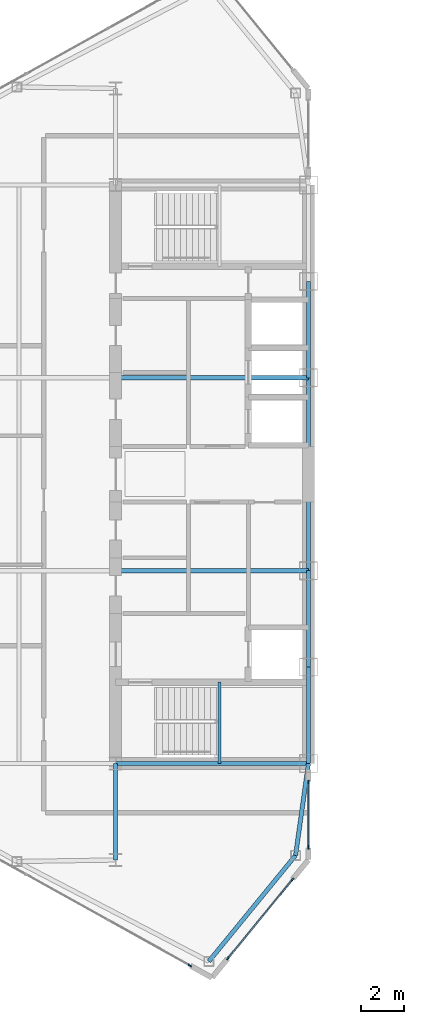
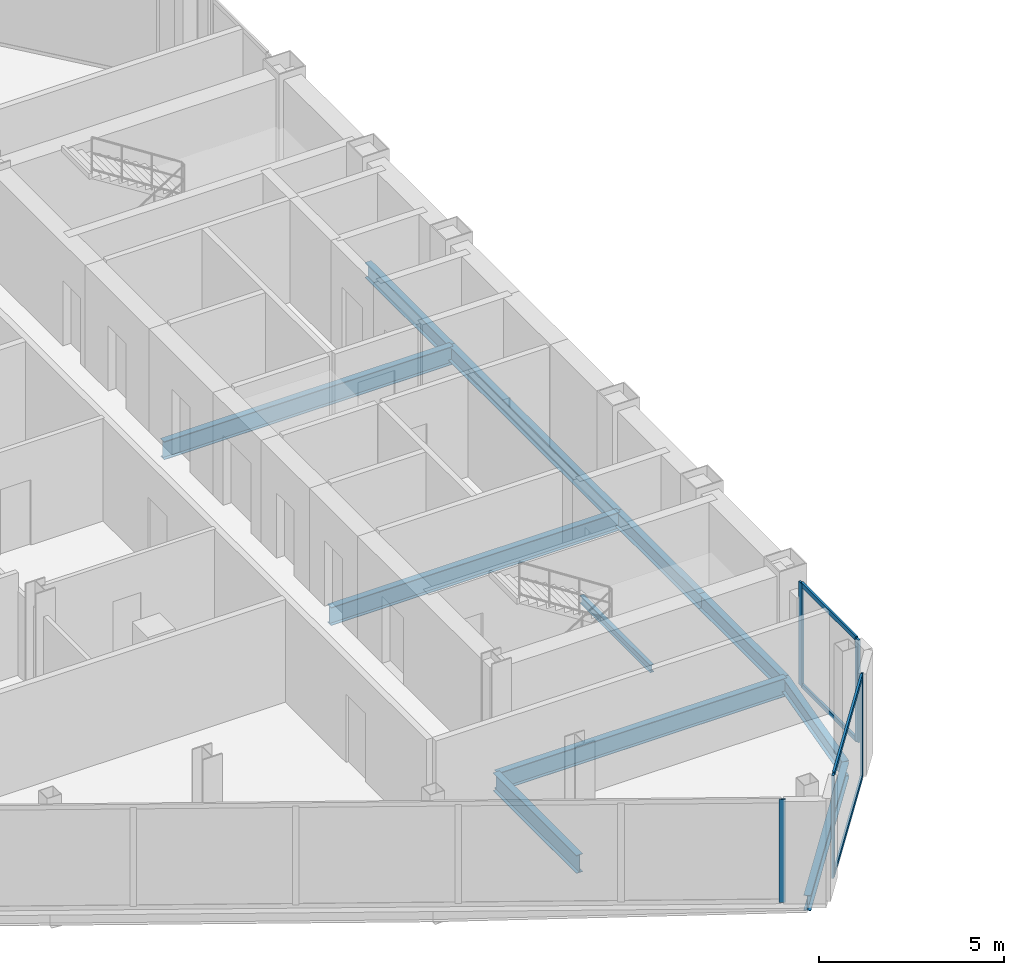
# One storey, part 7 of 26: 11 beams, 9 members, 3 elements without a shape of their own.
"""IFC4 building model written with IfcOpenShell, lengths in metres."""

from ifc_helpers import new_model, si_unit, direction, frame, origin, origin_2d, place, context, subcontext, project, spatial, rectangle, i_section, extrude, source, transform, mapped, material, layer, layer_set, material_profile, profile_set, type_object, type_shapes, element, aggregate, save


model = new_model("IFC4")

# Units and contexts
model_context = context("Model", 3, precision=1e-05, world=origin(), true_north=direction((0.0, 1.0)))
body_context = subcontext(model_context, "Body", "Model", "MODEL_VIEW")
ifc_project = project(units=[si_unit("LENGTHUNIT", "METRE"), si_unit("AREAUNIT", "SQUARE_METRE"), si_unit("VOLUMEUNIT", "CUBIC_METRE"), si_unit("PLANEANGLEUNIT", "RADIAN"), si_unit("MASSUNIT", "GRAM", prefix="KILO")], contexts=[model_context])

# Site, building, storey
site_placement = place(None, origin())
site = spatial("IfcSite", under=ifc_project, at=site_placement, CompositionType="ELEMENT")
building_placement = place(site_placement, origin())
building = spatial("IfcBuilding", under=site, at=building_placement, Name="Seokmaru Belvedere", CompositionType="ELEMENT")
storey_placement = place(building_placement, frame((0.0, 0.0, 167.10009765625)))
storey = spatial("IfcBuildingStorey", under=building, at=storey_placement, Name="L44", CompositionType="ELEMENT", Elevation=167.10009765625)

# Beams
ifc_material_1 = material(Name="Steel SM355 (355 MPa)", Category="steel")
ifc_material_profile_1 = material_profile(ifc_material_1, i_section(OverallWidth=0.199951171875, OverallDepth=0.5, WebThickness=0.010009765625, FlangeThickness=0.01611328125, at=origin_2d()), Name="H-500x200x10x16")
ifc_profile_set_1 = profile_set([ifc_material_profile_1], Name="Steel SM355 (355 MPa)")
beam_type_1 = type_object("IfcBeamType", Name="Perimeter Spandrel Beam H-500", PredefinedType="SPANDREL", material=ifc_profile_set_1)
shared_shape_1 = source(origin(), body_context, "Body", "SweptSolid", [
    extrude(i_section(OverallWidth=0.199951171875, OverallDepth=0.5, WebThickness=0.010009765625, FlangeThickness=0.01611328125, at=origin_2d()), origin(), (0.0, 0.0, 1.0), 4.5),
])
for number, where, z_axis, x_axis, name in (
    (1, (-27.5, -13.5, -0.47021484375), (0.0, 1.0, 0.0), (-1.0, 0.0, 0.0), "L44 W Portal Spine Spandrel 1"),
    (2, (-27.5, -9.0, -0.47021484375), (0.0, 1.0, 0.0), (-1.0, 0.0, 0.0), "L44 W Portal Spine Spandrel 2"),
    (3, (-27.5, 4.5, -0.47021484375), (0.0, 1.0, 0.0), (-1.0, 0.0, 0.0), "L44 W Portal Spine Spandrel 4"),
):
    element("IfcBeam", number, at=place(storey_placement, frame(where, z_axis=z_axis, x_axis=x_axis)), inside=storey, type_object=beam_type_1, Name=name, PredefinedType="SPANDREL", context=body_context, shape_type="MappedRepresentation", body=[
        mapped(shared_shape_1, transform((0.0, 0.0, 0.0), scale=1.0)),
    ])
shared_shape_2 = source(origin(), body_context, "Body", "SweptSolid", [
    extrude(i_section(OverallWidth=0.199951171875, OverallDepth=0.5, WebThickness=0.010009765625, FlangeThickness=0.01611328125, at=origin_2d()), origin(), (0.0, 0.0, 1.0), 9.0),
])
beam_1_placement = place(storey_placement, frame((-27.5, -4.5, -0.47021484375), z_axis=(0.0, 1.0, 0.0), x_axis=(-1.0, 0.0, 0.0)))
element("IfcBeam", 4, at=beam_1_placement, inside=storey, type_object=beam_type_1, Name="L44 W Portal Spine Spandrel 3", PredefinedType="SPANDREL", context=body_context, shape_type="MappedRepresentation", body=[
    mapped(shared_shape_2, transform((0.0, 0.0, 0.0), scale=1.0)),
])
ifc_material_profile_2 = material_profile(ifc_material_1, i_section(OverallWidth=0.199951171875, OverallDepth=0.60009765625, WebThickness=0.010986328125, FlangeThickness=0.01708984375, at=origin_2d()), Name="H-600x200x11x17")
ifc_profile_set_2 = profile_set([ifc_material_profile_2], Name="Steel SM355 (355 MPa)")
beam_type_2 = type_object("IfcBeamType", Name="Primary Floor Girder H-600", PredefinedType="BEAM", material=ifc_profile_set_2)
shared_shape_3 = source(origin(), body_context, "Body", "SweptSolid", [
    extrude(i_section(OverallWidth=0.199951171875, OverallDepth=0.60009765625, WebThickness=0.010986328125, FlangeThickness=0.01708984375, at=origin_2d()), origin(), (0.0, 0.0, 1.0), 9.0),
])
for number, where, z_axis, x_axis, name in (
    (5, (-36.5, -13.5, -0.52001953125), (1.0, 0.0, 0.0), (0.0, 1.0, 0.0), "L44 W Core Tie Girder 1"),
    (6, (-36.5, -4.5, -0.52001953125), (1.0, 0.0, 0.0), (0.0, 1.0, 0.0), "L44 W Core Tie Girder 2"),
    (7, (-36.5, 4.5, -0.52001953125), (1.0, 0.0, 0.0), (0.0, 1.0, 0.0), "L44 W Core Tie Girder 3"),
):
    element("IfcBeam", number, at=place(storey_placement, frame(where, z_axis=z_axis, x_axis=x_axis)), inside=storey, type_object=beam_type_2, Name=name, PredefinedType="BEAM", context=body_context, shape_type="MappedRepresentation", body=[
        mapped(shared_shape_3, transform((0.0, 0.0, 0.0), scale=1.0)),
    ])
shared_shape_4 = source(origin(), body_context, "Body", "SweptSolid", [
    extrude(i_section(OverallWidth=0.199951171875, OverallDepth=0.60009765625, WebThickness=0.010986328125, FlangeThickness=0.01708984375, at=origin_2d()), origin(), (0.0, 0.0, 1.0), 4.5),
])
type_shapes(beam_type_2, [shared_shape_3, shared_shape_4])
beam_2_placement = place(storey_placement, frame((-36.5, -18.0, -0.52001953125), z_axis=(0.0, 1.0, 0.0), x_axis=(-1.0, 0.0, 0.0)))
element("IfcBeam", 8, at=beam_2_placement, inside=storey, type_object=beam_type_2, Name="L44 W Core Shoulder Girder S", PredefinedType="BEAM", context=body_context, shape_type="MappedRepresentation", body=[
    mapped(shared_shape_4, transform((0.0, 0.0, 0.0), scale=1.0)),
])
shared_shape_5 = source(origin(), body_context, "Body", "SweptSolid", [
    extrude(i_section(OverallWidth=0.199951171875, OverallDepth=0.5, WebThickness=0.010009765625, FlangeThickness=0.01611328125, at=origin_2d()), origin(), (0.0, 0.0, 1.0), 6.390380859375),
])
beam_3_placement = place(storey_placement, frame((-32.146728515625, -22.731689453125, -0.47021484375), z_axis=(0.63324403161, 0.7739521926, 0.0), x_axis=(-0.7739521926, 0.63324403161, 0.0)))
element("IfcBeam", 9, at=beam_3_placement, inside=storey, type_object=beam_type_1, Name="L44 W Shoulder Chamfer Spandrel S", PredefinedType="SPANDREL", context=body_context, shape_type="MappedRepresentation", body=[
    mapped(shared_shape_5, transform((0.0, 0.0, 0.0), scale=1.0)),
])
shared_shape_6 = source(origin(), body_context, "Body", "SweptSolid", [
    extrude(i_section(OverallWidth=0.199951171875, OverallDepth=0.5, WebThickness=0.010009765625, FlangeThickness=0.01611328125, at=origin_2d()), origin(), (0.0, 0.0, 1.0), 4.32763671875),
])
type_shapes(beam_type_1, [shared_shape_1, shared_shape_2, shared_shape_5, shared_shape_6])
beam_4_placement = place(storey_placement, frame((-28.10009765625, -17.785888671875, -0.47021484375), z_axis=(0.138664443237, 0.990339422714, 0.0), x_axis=(-0.990339422714, 0.138664443237, 0.0)))
element("IfcBeam", 10, at=beam_4_placement, inside=storey, type_object=beam_type_1, Name="L44 W Shoulder Spine Spandrel S", PredefinedType="SPANDREL", context=body_context, shape_type="MappedRepresentation", body=[
    mapped(shared_shape_6, transform((0.0, 0.0, 0.0), scale=1.0)),
])

# Curtain wall, members
ifc_material_2 = material(Name="Bronze Triple Insulating Glass", Category="glass")
ifc_layer = layer(ifc_material_2, 0.179931640625)
ifc_layer_set = layer_set([ifc_layer], Name="Bronze Triple Insulating Glass")
curtain_wall_type = type_object("IfcCurtainWallType", Name="High-Rise Wind-Corner Curtain Wall System CW-5", PredefinedType="NOTDEFINED", material=ifc_layer_set)
curtain_wall_1_placement = place(storey_placement, origin())
curtain_wall_1 = element("IfcCurtainWall", 11, at=curtain_wall_1_placement, inside=storey, type_object=curtain_wall_type, Name="L44 Curtain Wall WSP_1", PredefinedType="NOTDEFINED")
ifc_material_3 = material(Name="Anodised Bronze Aluminium", Category="aluminium")
ifc_material_profile_3 = material_profile(ifc_material_3, rectangle(XDim=0.06494140625, YDim=0.14990234375, at=origin_2d()), Name="CW-T-65x150")
ifc_profile_set_3 = profile_set([ifc_material_profile_3], Name="Anodised Bronze Aluminium")
member_type_1 = type_object("IfcMemberType", Name="Bronze Unitised Transom 65x150", PredefinedType="USERDEFINED", material=ifc_profile_set_3)
shared_shape_7 = source(origin(), body_context, "Body", "SweptSolid", [
    extrude(rectangle(XDim=0.06494140625, YDim=0.14990234375, at=origin_2d()), origin(), (0.0, 0.0, 1.0), 2.969970703125),
])
member_1_placement = place(storey_placement, frame((-27.5, -17.364990234375, 0.032470703125), z_axis=(0.0, 1.0, 0.0), x_axis=(-1.0, 0.0, 0.0)))
member_1 = element("IfcMember", 12, at=member_1_placement, type_object=member_type_1, Name="CW:L44:WSP_1 Continuous Transom 1", ObjectType="TRANSOM", PredefinedType="USERDEFINED", context=body_context, shape_type="MappedRepresentation", body=[
    mapped(shared_shape_7, transform((0.0, 0.0, 0.0), scale=1.0)),
])
member_2_placement = place(storey_placement, frame((-27.5, -17.364990234375, 3.347412109375), z_axis=(0.0, 1.0, 0.0), x_axis=(-1.0, 0.0, 0.0)))
member_2 = element("IfcMember", 13, at=member_2_placement, type_object=member_type_1, Name="CW:L44:WSP_1 Continuous Transom 2", ObjectType="TRANSOM", PredefinedType="USERDEFINED", context=body_context, shape_type="MappedRepresentation", body=[
    mapped(shared_shape_7, transform((0.0, 0.0, 0.0), scale=1.0)),
])

curtain_wall_2_placement = place(storey_placement, origin())
curtain_wall_2 = element("IfcCurtainWall", 14, at=curtain_wall_2_placement, inside=storey, type_object=curtain_wall_type, Name="L44 Curtain Wall WF6", PredefinedType="NOTDEFINED")
shared_shape_8 = source(origin(), body_context, "Body", "SweptSolid", [
    extrude(rectangle(XDim=0.06494140625, YDim=0.14990234375, at=origin_2d()), origin(), (0.0, 0.0, 1.0), 4.67626953125),
])
type_shapes(member_type_1, [shared_shape_7, shared_shape_8])
member_3_placement = place(storey_placement, frame((-31.230712890625, -22.5595703125, 0.032470703125), z_axis=(0.633277591216, 0.773924733074, 0.0), x_axis=(-0.773924733074, 0.633277591216, 0.0)))
member_3 = element("IfcMember", 15, at=member_3_placement, type_object=member_type_1, Name="CW:L44:WF6 Continuous Transom 1", ObjectType="TRANSOM", PredefinedType="USERDEFINED", context=body_context, shape_type="MappedRepresentation", body=[
    mapped(shared_shape_8, transform((0.0, 0.0, 0.0), scale=1.0)),
])
member_4_placement = place(storey_placement, frame((-31.230712890625, -22.5595703125, 3.347412109375), z_axis=(0.633277591216, 0.773924733074, 0.0), x_axis=(-0.773924733074, 0.633277591216, 0.0)))
member_4 = element("IfcMember", 16, at=member_4_placement, type_object=member_type_1, Name="CW:L44:WF6 Continuous Transom 2", ObjectType="TRANSOM", PredefinedType="USERDEFINED", context=body_context, shape_type="MappedRepresentation", body=[
    mapped(shared_shape_8, transform((0.0, 0.0, 0.0), scale=1.0)),
])

# Member
ifc_material_profile_4 = material_profile(ifc_material_3, rectangle(XDim=0.06494140625, YDim=0.179931640625, at=origin_2d()), Name="CW-M-65x180")
ifc_profile_set_4 = profile_set([ifc_material_profile_4], Name="Anodised Bronze Aluminium")
member_type_2 = type_object("IfcMemberType", Name="Bronze Unitised Mullion 65x180", PredefinedType="MULLION", material=ifc_profile_set_4)
shared_shape_9 = source(origin(), body_context, "Body", "SweptSolid", [
    extrude(rectangle(XDim=0.06494140625, YDim=0.179931640625, at=origin_2d()), origin(), (0.0, 0.0, 1.0), 3.3798828125),
])
type_shapes(member_type_2, [shared_shape_9])
member_5_placement = place(storey_placement, frame((-27.5, -17.3974609375, 0.0), z_axis=(0.0, 0.0, 1.0), x_axis=(-1.0, 0.0, 0.0)))
member_5 = element("IfcMember", 17, at=member_5_placement, type_object=member_type_2, Name="CW:L44:WSP_1 Mullion 1", PredefinedType="MULLION", context=body_context, shape_type="MappedRepresentation", body=[
    mapped(shared_shape_9, transform((0.0, 0.0, 0.0), scale=1.0)),
])

member_6_placement = place(storey_placement, frame((-27.5, -14.362548828125, 0.0), z_axis=(0.0, 0.0, 1.0), x_axis=(-1.0, 0.0, 0.0)))
member_6 = element("IfcMember", 18, at=member_6_placement, type_object=member_type_2, Name="CW:L44:WSP_1 Mullion 2", PredefinedType="MULLION", context=body_context, shape_type="MappedRepresentation", body=[
    mapped(shared_shape_9, transform((0.0, 0.0, 0.0), scale=1.0)),
])

aggregate(curtain_wall_1, [member_5, member_6, member_1, member_2])

# Curtain wall, member
curtain_wall_3_placement = place(storey_placement, origin())
curtain_wall_3 = element("IfcCurtainWall", 19, at=curtain_wall_3_placement, inside=storey, type_object=curtain_wall_type, Name="L44 Curtain Wall WF5", PredefinedType="NOTDEFINED")
member_7_placement = place(storey_placement, frame((-33.033447265625, -22.92529296875, 0.0), z_axis=(0.0, 0.0, 1.0), x_axis=(0.486047125147, 0.873932601598, 0.0)))
member_7 = element("IfcMember", 20, at=member_7_placement, type_object=member_type_2, Name="CW:L44:WF5 Mullion 10", PredefinedType="MULLION", context=body_context, shape_type="MappedRepresentation", body=[
    mapped(shared_shape_9, transform((0.0, 0.0, 0.0), scale=1.0)),
])
aggregate(curtain_wall_3, [member_7])

# Member
member_8_placement = place(storey_placement, frame((-31.251220703125, -22.584716796875, 0.0), z_axis=(0.0, 0.0, 1.0), x_axis=(-0.773944112379, 0.633253907144, 0.0)))
member_8 = element("IfcMember", 21, at=member_8_placement, type_object=member_type_2, Name="CW:L44:WF6 Mullion 1", PredefinedType="MULLION", context=body_context, shape_type="MappedRepresentation", body=[
    mapped(shared_shape_9, transform((0.0, 0.0, 0.0), scale=1.0)),
])

member_9_placement = place(storey_placement, frame((-28.248779296875, -18.915283203125, 0.0), z_axis=(0.0, 0.0, 1.0), x_axis=(-0.773944112379, 0.633253907144, 0.0)))
member_9 = element("IfcMember", 22, at=member_9_placement, type_object=member_type_2, Name="CW:L44:WF6 Mullion 2", PredefinedType="MULLION", context=body_context, shape_type="MappedRepresentation", body=[
    mapped(shared_shape_9, transform((0.0, 0.0, 0.0), scale=1.0)),
])

aggregate(curtain_wall_2, [member_8, member_9, member_3, member_4])

# Beam
ifc_material_profile_5 = material_profile(ifc_material_1, i_section(OverallWidth=0.125, OverallDepth=0.25, WebThickness=0.006103515625, FlangeThickness=0.009033203125, at=origin_2d()), Name="H-250x125x6x9")
ifc_profile_set_5 = profile_set([ifc_material_profile_5], Name="Steel SM355 (355 MPa)")
beam_type_3 = type_object("IfcBeamType", Name="Stair Mid-Landing Support Beam H-250", PredefinedType="JOIST", material=ifc_profile_set_5)
shared_shape_10 = source(origin(), body_context, "Body", "SweptSolid", [
    extrude(i_section(OverallWidth=0.125, OverallDepth=0.25, WebThickness=0.006103515625, FlangeThickness=0.009033203125, at=origin_2d()), origin(), (0.0, 0.0, 1.0), 3.800048828125),
])
type_shapes(beam_type_3, [shared_shape_10])
beam_5_placement = place(storey_placement, frame((-31.64990234375, -13.5, 1.474853515625), z_axis=(0.0, 1.0, 0.0), x_axis=(-1.0, 0.0, 0.0)))
element("IfcBeam", 23, at=beam_5_placement, inside=storey, type_object=beam_type_3, Name="L44 Stair ST-W1 Mid-Landing Support Beam 1", PredefinedType="JOIST", context=body_context, shape_type="MappedRepresentation", body=[
    mapped(shared_shape_10, transform((0.0, 0.0, 0.0), scale=1.0)),
])

save(model, "model.ifc")
